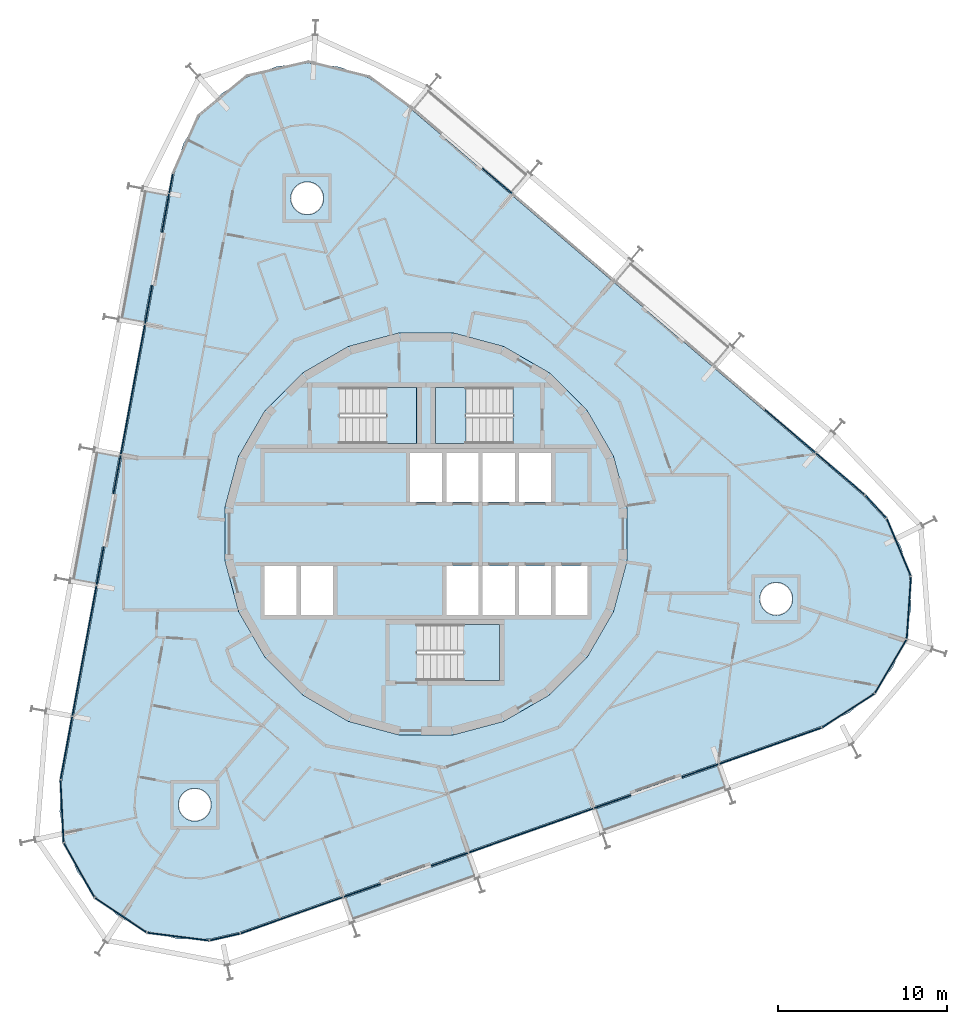
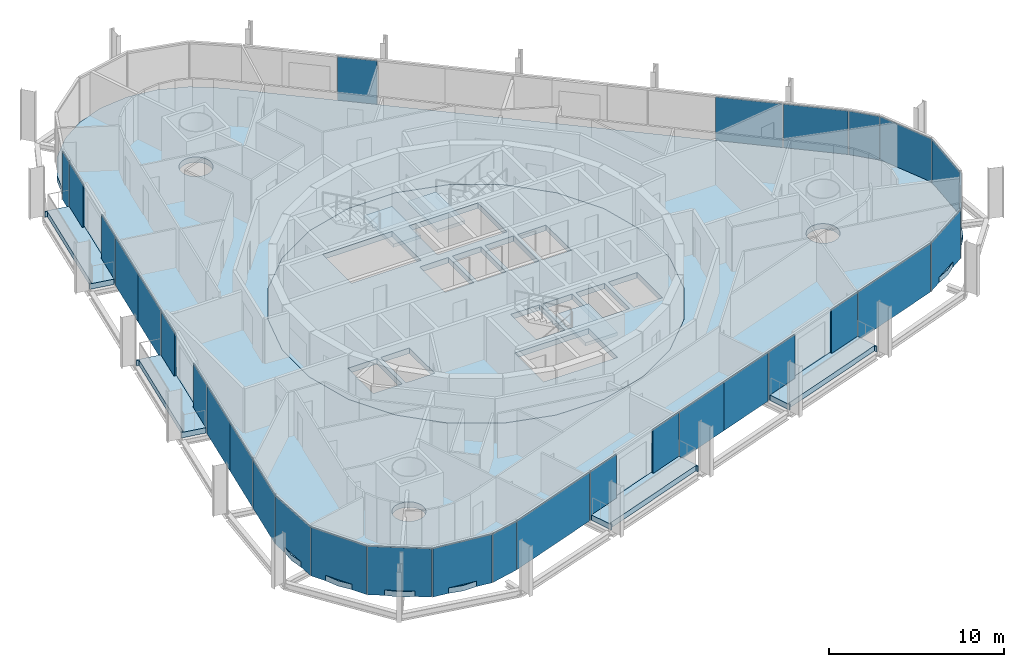
# One storey, part 9 of 17: 31 plates, 9 slabs, 9 elements without a shape of their own.
"""IFC4 building model written with IfcOpenShell, lengths in metres."""

from ifc_helpers import new_model, si_unit, direction, frame, origin, origin_2d, place, context, subcontext, project, spatial, polyline, rectangle, outline, extrude, material, layer, layer_set, type_object, element, aggregate, save


model = new_model("IFC4")

# Units and contexts
model_context = context("Model", 3, precision=1e-05, world=origin(), true_north=direction((0.0, 1.0)))
body_context = subcontext(model_context, "Body", "Model", "MODEL_VIEW")
ifc_project = project(units=[si_unit("LENGTHUNIT", "METRE"), si_unit("AREAUNIT", "SQUARE_METRE"), si_unit("VOLUMEUNIT", "CUBIC_METRE"), si_unit("PLANEANGLEUNIT", "RADIAN"), si_unit("MASSUNIT", "GRAM", prefix="KILO")], contexts=[model_context])

# Site, building, storey
site_placement = place(None, origin())
site = spatial("IfcSite", under=ifc_project, at=site_placement, CompositionType="ELEMENT")
building_placement = place(site_placement, origin())
building = spatial("IfcBuilding", under=site, at=building_placement, Name="Spindle Arch Residences", CompositionType="ELEMENT")
storey_placement = place(building_placement, frame((0.0, 0.0, 172.699951171875)))
storey = spatial("IfcBuildingStorey", under=building, at=storey_placement, Name="L43", CompositionType="ELEMENT", Elevation=172.699951171875)

# Slabs
ifc_material_1 = material(Name="Concrete C40/50", Category="concrete")
ifc_layer_1 = layer(ifc_material_1, 0.3798828125)
ifc_layer_set_1 = layer_set([ifc_layer_1], Name="Balcony slab 380")
slab_type_1 = type_object("IfcSlabType", Name="Balcony slab 380", PredefinedType="FLOOR", material=ifc_layer_set_1)
slab_1_placement = place(storey_placement, frame((0.0, 0.0, -0.3798828125)))
element("IfcSlab", 1, at=slab_1_placement, inside=storey, type_object=slab_type_1, Name="Balcony L43 bay 1", PredefinedType="FLOOR", context=body_context, shape_type="SweptSolid", body=[
    extrude(outline(polyline([(10.512451171875, -17.6884765625), (10.583251953125, -17.663330078125), (10.533203125, -17.52197265625), (17.65966796875, -14.998291015625), (17.709716796875, -15.1396484375), (17.7802734375, -15.11474609375), (17.282958984375, -13.710205078125), (15.1572265625, -14.462890625), (15.10400390625, -14.31201171875), (12.08740234375, -15.38037109375), (12.140869140625, -15.531005859375), (10.01513671875, -16.283935546875), (10.512451171875, -17.6884765625)])), origin(), (0.0, 0.0, 1.0), 0.3798828125),
])
slab_2_placement = place(storey_placement, frame((0.0, 0.0, -0.3798828125)))
element("IfcSlab", 2, at=slab_2_placement, inside=storey, type_object=slab_type_1, Name="Balcony L43 bay 13", PredefinedType="FLOOR", context=body_context, shape_type="SweptSolid", body=[
    extrude(outline(polyline([(-16.755126953125, 20.349365234375), (-16.768798828125, 20.275634765625), (-16.621337890625, 20.248291015625), (-17.9990234375, 12.814697265625), (-18.146484375, 12.842041015625), (-18.16015625, 12.768310546875), (-16.695068359375, 12.496826171875), (-16.2841796875, 14.714111328125), (-16.126953125, 14.684814453125), (-15.543701171875, 17.831298828125), (-15.700927734375, 17.860595703125), (-15.2900390625, 20.077880859375), (-16.755126953125, 20.349365234375)])), origin(), (0.0, 0.0, 1.0), 0.3798828125),
])
slab_3_placement = place(storey_placement, frame((0.0, 0.0, -0.3798828125)))
element("IfcSlab", 3, at=slab_3_placement, inside=storey, type_object=slab_type_1, Name="Balcony L43 bay 15", PredefinedType="FLOOR", context=body_context, shape_type="SweptSolid", body=[
    extrude(outline(polyline([(-19.619873046875, 4.892333984375), (-19.633544921875, 4.818603515625), (-19.486083984375, 4.791259765625), (-20.86376953125, -2.64208984375), (-21.01123046875, -2.61474609375), (-21.02490234375, -2.6884765625), (-19.559814453125, -2.960205078125), (-19.14892578125, -0.742919921875), (-18.99169921875, -0.77197265625), (-18.408447265625, 2.37451171875), (-18.56591796875, 2.403564453125), (-18.15478515625, 4.620849609375), (-19.619873046875, 4.892333984375)])), origin(), (0.0, 0.0, 1.0), 0.3798828125),
])
slab_4_placement = place(storey_placement, frame((0.0, 0.0, -0.3798828125)))
element("IfcSlab", 4, at=slab_4_placement, inside=storey, type_object=slab_type_1, Name="Balcony L43 bay 21", PredefinedType="FLOOR", context=body_context, shape_type="SweptSolid", body=[
    extrude(outline(polyline([(-4.305908203125, -22.935791015625), (-4.2353515625, -22.910888671875), (-4.285400390625, -22.76953125), (2.841064453125, -20.245849609375), (2.89111328125, -20.38720703125), (2.9619140625, -20.3623046875), (2.464599609375, -18.957763671875), (0.3388671875, -19.71044921875), (0.285400390625, -19.5595703125), (-2.73095703125, -20.627685546875), (-2.677734375, -20.778564453125), (-4.80322265625, -21.53125), (-4.305908203125, -22.935791015625)])), origin(), (0.0, 0.0, 1.0), 0.3798828125),
])
ifc_material_2 = material(Name="Concrete C50/60", Category="concrete")
ifc_layer_2 = layer(ifc_material_2, 0.3798828125)
ifc_layer_set_2 = layer_set([ifc_layer_2], Name="Core floor slab 380")
slab_type_2 = type_object("IfcSlabType", Name="Core floor slab 380", PredefinedType="FLOOR", material=ifc_layer_set_2)
slab_5_placement = place(storey_placement, frame((0.0, 0.0, -0.3798828125)))
element("IfcSlab", 5, at=slab_5_placement, inside=storey, type_object=slab_type_2, Name="Core floor L43", PredefinedType="FLOOR", context=body_context, shape_type="SweptSolid", body=[
    extrude(outline(polyline([(1.56640625, -11.897216796875), (4.59228515625, -11.086669921875), (7.30517578125, -9.520263671875), (9.520263671875, -7.30517578125), (11.086669921875, -4.59228515625), (11.897216796875, -1.56640625), (11.897216796875, 1.56640625), (11.086669921875, 4.59228515625), (9.520263671875, 7.30517578125), (7.30517578125, 9.520263671875), (4.59228515625, 11.086669921875), (1.56640625, 11.897216796875), (-1.56640625, 11.897216796875), (-4.59228515625, 11.086669921875), (-7.30517578125, 9.520263671875), (-9.520263671875, 7.30517578125), (-11.086669921875, 4.59228515625), (-11.897216796875, 1.56640625), (-11.897216796875, -1.56640625), (-11.086669921875, -4.59228515625), (-9.520263671875, -7.30517578125), (-7.30517578125, -9.520263671875), (-4.59228515625, -11.086669921875), (-1.56640625, -11.897216796875), (1.56640625, -11.897216796875)]), holes=[polyline([(-0.949951171875, 1.89990234375), (0.949951171875, 1.89990234375), (0.949951171875, 4.800048828125), (-0.949951171875, 4.800048828125), (-0.949951171875, 1.89990234375)]), polyline([(1.199951171875, 1.89990234375), (3.10009765625, 1.89990234375), (3.10009765625, 4.800048828125), (1.199951171875, 4.800048828125), (1.199951171875, 1.89990234375)]), polyline([(3.35009765625, 1.89990234375), (5.25, 1.89990234375), (5.25, 4.800048828125), (3.35009765625, 4.800048828125), (3.35009765625, 1.89990234375)]), polyline([(5.5, 1.89990234375), (7.39990234375, 1.89990234375), (7.39990234375, 4.800048828125), (5.5, 4.800048828125), (5.5, 1.89990234375)]), polyline([(-9.550048828125, -4.800048828125), (-7.64990234375, -4.800048828125), (-7.64990234375, -1.89990234375), (-9.550048828125, -1.89990234375), (-9.550048828125, -4.800048828125)]), polyline([(-7.39990234375, -4.800048828125), (-5.5, -4.800048828125), (-5.5, -1.89990234375), (-7.39990234375, -1.89990234375), (-7.39990234375, -4.800048828125)]), polyline([(1.199951171875, -4.800048828125), (3.10009765625, -4.800048828125), (3.10009765625, -1.89990234375), (1.199951171875, -1.89990234375), (1.199951171875, -4.800048828125)]), polyline([(3.35009765625, -4.800048828125), (5.25, -4.800048828125), (5.25, -1.89990234375), (3.35009765625, -1.89990234375), (3.35009765625, -4.800048828125)]), polyline([(5.5, -4.800048828125), (7.39990234375, -4.800048828125), (7.39990234375, -1.89990234375), (5.5, -1.89990234375), (5.5, -4.800048828125)]), polyline([(7.64990234375, -4.800048828125), (9.550048828125, -4.800048828125), (9.550048828125, -1.89990234375), (7.64990234375, -1.89990234375), (7.64990234375, -4.800048828125)]), polyline([(5.1298828125, 8.669921875), (0.550048828125, 8.669921875), (0.550048828125, 5.35009765625), (5.1298828125, 5.35009765625), (5.1298828125, 8.669921875)]), polyline([(-5.1298828125, 5.35009765625), (-0.550048828125, 5.35009765625), (-0.550048828125, 8.669921875), (-5.1298828125, 8.669921875), (-5.1298828125, 5.35009765625)]), polyline([(-0.530029296875, -8.669921875), (4.35009765625, -8.669921875), (4.35009765625, -5.35009765625), (-0.530029296875, -5.35009765625), (-0.530029296875, -8.669921875)])]), origin(), (0.0, 0.0, 1.0), 0.3798828125),
])

# Stair, slab
ifc_material_3 = material(Name="Concrete C50/60", Category="concrete")
stair_type = type_object("IfcStairType", Name="Exit stair 16 risers", PredefinedType="HALF_TURN_STAIR", material=ifc_material_3)
stair_1_placement = place(storey_placement, origin())
stair_1 = element("IfcStair", 6, at=stair_1_placement, inside=storey, type_object=stair_type, Name="L43 Exit stair ST1", PredefinedType="HALF_TURN_STAIR")
ifc_material_4 = material(Name="Concrete C50/60", Category="concrete")
ifc_layer_3 = layer(ifc_material_4, 0.219970703125)
ifc_layer_set_3 = layer_set([ifc_layer_3], Name="Exit stair landing 220")
slab_type_3 = type_object("IfcSlabType", Name="Exit stair landing 220", PredefinedType="LANDING", material=ifc_layer_set_3)
slab_6_placement = place(storey_placement, frame((0.0, 0.0, 1.530029296875)))
slab_6 = element("IfcSlab", 7, at=slab_6_placement, type_object=slab_type_3, Name="ST1 landing 1", PredefinedType="LANDING", context=body_context, shape_type="SweptSolid", body=[
    extrude(outline(polyline([(2.3701171875, 8.669921875), (0.550048828125, 8.669921875), (0.550048828125, 5.35009765625), (2.3701171875, 5.35009765625), (2.3701171875, 8.669921875)])), origin(), (0.0, 0.0, 1.0), 0.219970703125),
])
aggregate(stair_1, [slab_6])

stair_2_placement = place(storey_placement, origin())
stair_2 = element("IfcStair", 8, at=stair_2_placement, inside=storey, type_object=stair_type, Name="L43 Exit stair ST2", PredefinedType="HALF_TURN_STAIR")
slab_7_placement = place(storey_placement, frame((0.0, 0.0, 1.530029296875)))
slab_7 = element("IfcSlab", 9, at=slab_7_placement, type_object=slab_type_3, Name="ST2 landing 1", PredefinedType="LANDING", context=body_context, shape_type="SweptSolid", body=[
    extrude(outline(polyline([(-2.3701171875, 5.35009765625), (-0.550048828125, 5.35009765625), (-0.550048828125, 8.669921875), (-2.3701171875, 8.669921875), (-2.3701171875, 5.35009765625)])), origin(), (0.0, 0.0, 1.0), 0.219970703125),
])
aggregate(stair_2, [slab_7])

stair_3_placement = place(storey_placement, origin())
stair_3 = element("IfcStair", 10, at=stair_3_placement, inside=storey, type_object=stair_type, Name="L43 Exit stair ST3", PredefinedType="HALF_TURN_STAIR")
slab_8_placement = place(storey_placement, frame((0.0, 0.0, 1.530029296875)))
slab_8 = element("IfcSlab", 11, at=slab_8_placement, type_object=slab_type_3, Name="ST3 landing 1", PredefinedType="LANDING", context=body_context, shape_type="SweptSolid", body=[
    extrude(outline(polyline([(2.22998046875, -8.669921875), (4.35009765625, -8.669921875), (4.35009765625, -5.35009765625), (2.22998046875, -5.35009765625), (2.22998046875, -8.669921875)])), origin(), (0.0, 0.0, 1.0), 0.219970703125),
])
aggregate(stair_3, [slab_8])

# Slab
ifc_material_5 = material(Name="Concrete C40/50", Category="concrete")
ifc_layer_4 = layer(ifc_material_5, 0.3798828125)
ifc_layer_set_4 = layer_set([ifc_layer_4], Name="Floor slab 380")
slab_type_4 = type_object("IfcSlabType", Name="Floor slab 380", PredefinedType="FLOOR", material=ifc_layer_set_4)
slab_9_placement = place(storey_placement, frame((0.0, 0.0, -0.3798828125)))
element("IfcSlab", 12, at=slab_9_placement, inside=storey, type_object=slab_type_4, Name="Floor slab L43", PredefinedType="FLOOR", context=body_context, shape_type="SweptSolid", body=[
    extrude(outline(polyline([(-12.82177734375, -23.972412109375), (-14.67919921875, -23.9560546875), (-16.48291015625, -23.511962890625), (-18.135498046875, -22.663818359375), (-19.5478515625, -21.45751953125), (-20.64404296875, -19.9580078125), (-21.36474609375, -18.24609375), (-21.67138671875, -16.4140625), (-21.547119140625, -14.560791015625), (-14.89794921875, 21.3154296875), (-14.349609375, 23.090087890625), (-13.406982421875, 24.690673828125), (-12.12060546875, 26.030517578125), (-10.559814453125, 27.03759765625), (-8.808837890625, 27.65771484375), (-6.962158203125, 27.857421875), (-5.119140625, 27.62548828125), (-3.37939453125, 26.97509765625), (-1.83642578125, 25.94091796875), (25.90869140625, 2.244384765625), (27.171630859375, 0.882080078125), (28.086181640625, -0.734619140625), (28.603515625, -2.5185546875), (28.6953125, -4.373779296875), (28.356689453125, -6.2001953125), (27.606201171875, -7.8994140625), (26.48388671875, -9.37939453125), (25.05078125, -10.56103515625), (23.383544921875, -11.380126953125), (6.186279296875, -17.469970703125), (-11.0107421875, -23.559814453125), (-12.82177734375, -23.972412109375)]), holes=[polyline([(7.30517578125, -9.520263671875), (9.520263671875, -7.30517578125), (11.086669921875, -4.59228515625), (11.897216796875, -1.56640625), (11.897216796875, 1.56640625), (11.086669921875, 4.59228515625), (9.520263671875, 7.30517578125), (7.30517578125, 9.520263671875), (4.59228515625, 11.086669921875), (1.56640625, 11.897216796875), (-1.56640625, 11.897216796875), (-4.59228515625, 11.086669921875), (-7.30517578125, 9.520263671875), (-9.520263671875, 7.30517578125), (-11.086669921875, 4.59228515625), (-11.897216796875, 1.56640625), (-11.897216796875, -1.56640625), (-11.086669921875, -4.59228515625), (-9.520263671875, -7.30517578125), (-7.30517578125, -9.520263671875), (-4.59228515625, -11.086669921875), (-1.56640625, -11.897216796875), (1.56640625, -11.897216796875), (4.59228515625, -11.086669921875), (7.30517578125, -9.520263671875)]), polyline([(-12.99169921875, -16.7080078125), (-12.87060546875, -16.560302734375), (-12.780517578125, -16.3916015625), (-12.724853515625, -16.208740234375), (-12.706298828125, -16.0185546875), (-12.724853515625, -15.828369140625), (-12.780517578125, -15.6455078125), (-12.87060546875, -15.476806640625), (-12.99169921875, -15.3291015625), (-13.139404296875, -15.2080078125), (-13.30810546875, -15.117919921875), (-13.490966796875, -15.062255859375), (-13.68115234375, -15.043701171875), (-13.871337890625, -15.062255859375), (-14.05419921875, -15.117919921875), (-14.222900390625, -15.2080078125), (-14.37060546875, -15.3291015625), (-14.491943359375, -15.476806640625), (-14.58203125, -15.6455078125), (-14.637451171875, -15.828369140625), (-14.65625, -16.0185546875), (-14.637451171875, -16.208740234375), (-14.58203125, -16.3916015625), (-14.491943359375, -16.560302734375), (-14.37060546875, -16.7080078125), (-14.222900390625, -16.829345703125), (-14.05419921875, -16.91943359375), (-13.871337890625, -16.974853515625), (-13.68115234375, -16.99365234375), (-13.490966796875, -16.974853515625), (-13.30810546875, -16.91943359375), (-13.139404296875, -16.829345703125), (-12.99169921875, -16.7080078125)]), polyline([(-6.22119140625, 19.31591796875), (-6.131103515625, 19.484619140625), (-6.07568359375, 19.66748046875), (-6.056884765625, 19.857666015625), (-6.07568359375, 20.0478515625), (-6.131103515625, 20.230712890625), (-6.22119140625, 20.3994140625), (-6.342529296875, 20.547119140625), (-6.490234375, 20.668212890625), (-6.65869140625, 20.75830078125), (-6.841796875, 20.81396484375), (-7.031982421875, 20.83251953125), (-7.22216796875, 20.81396484375), (-7.405029296875, 20.75830078125), (-7.573486328125, 20.668212890625), (-7.72119140625, 20.547119140625), (-7.842529296875, 20.3994140625), (-7.9326171875, 20.230712890625), (-7.98828125, 20.0478515625), (-8.0068359375, 19.857666015625), (-7.98828125, 19.66748046875), (-7.9326171875, 19.484619140625), (-7.842529296875, 19.31591796875), (-7.72119140625, 19.168212890625), (-7.573486328125, 19.046875), (-7.405029296875, 18.956787109375), (-7.22216796875, 18.9013671875), (-7.031982421875, 18.882568359375), (-6.841796875, 18.9013671875), (-6.65869140625, 18.956787109375), (-6.490234375, 19.046875), (-6.342529296875, 19.168212890625), (-6.22119140625, 19.31591796875)]), polyline([(21.523681640625, -4.380615234375), (21.614013671875, -4.212158203125), (21.66943359375, -4.029296875), (21.68798828125, -3.839111328125), (21.66943359375, -3.648681640625), (21.614013671875, -3.4658203125), (21.523681640625, -3.29736328125), (21.402587890625, -3.149658203125), (21.2548828125, -3.0283203125), (21.086181640625, -2.938232421875), (20.9033203125, -2.8828125), (20.713134765625, -2.864013671875), (20.52294921875, -2.8828125), (20.340087890625, -2.938232421875), (20.17138671875, -3.0283203125), (20.023681640625, -3.149658203125), (19.90234375, -3.29736328125), (19.812255859375, -3.4658203125), (19.7568359375, -3.648681640625), (19.738037109375, -3.839111328125), (19.7568359375, -4.029296875), (19.812255859375, -4.212158203125), (19.90234375, -4.380615234375), (20.023681640625, -4.5283203125), (20.17138671875, -4.649658203125), (20.340087890625, -4.73974609375), (20.52294921875, -4.79541015625), (20.713134765625, -4.81396484375), (20.9033203125, -4.79541015625), (21.086181640625, -4.73974609375), (21.2548828125, -4.649658203125), (21.402587890625, -4.5283203125), (21.523681640625, -4.380615234375)])]), origin(), (0.0, 0.0, 1.0), 0.3798828125),
])

# Curtain wall, plates
ifc_material_6 = material(Name="Aluminium bronze unitised frame with tinted glass", Category="aluminium")
ifc_layer_5 = layer(ifc_material_6, 0.159912109375)
ifc_layer_set_5 = layer_set([ifc_layer_5], Name="CW-D corner wall on the fillet arcs")
curtain_wall_type_1 = type_object("IfcCurtainWallType", Name="CW-D corner wall on the fillet arcs", PredefinedType="NOTDEFINED", material=ifc_layer_set_5)
curtain_wall_1_placement = place(storey_placement, origin())
curtain_wall_1 = element("IfcCurtainWall", 13, at=curtain_wall_1_placement, inside=storey, type_object=curtain_wall_type_1, Name="CW-D L43 run 1", PredefinedType="NOTDEFINED")
ifc_material_7 = material(Name="Tinted double glazing over non-combustible spandrel zone with 0.55 mm stainless steel cavity fire stop (K0)", Category="steel")
ifc_layer_6 = layer(ifc_material_7, 0.070068359375)
ifc_layer_set_6 = layer_set([ifc_layer_6], Name="Unitised glass panel with spandrel zone and stainless cavity fire stop")
plate_type = type_object("IfcPlateType", Name="Unitised glass panel with spandrel zone and stainless cavity fire stop", PredefinedType="CURTAIN_PANEL", material=ifc_layer_set_6)
plate_1_placement = place(storey_placement, frame((20.36865234375, -12.53271484375, -0.3798828125), z_axis=(0.0, 0.0, 1.0), x_axis=(0.942641491092, 0.333806859234, 0.0)))
plate_1 = element("IfcPlate", 14, at=plate_1_placement, type_object=plate_type, Name="CW-D unit 00", PredefinedType="CURTAIN_PANEL", context=body_context, shape_type="SweptSolid", body=[
    extrude(rectangle(XDim=6.3935546875, YDim=0.070068359375, at=origin_2d()), origin(), (0.0, 0.0, 1.0), 3.3798828125),
])
plate_2_placement = place(storey_placement, frame((24.97607421875, -10.445068359375, -0.3798828125), z_axis=(0.0, 0.0, 1.0), x_axis=(0.840251309898, 0.542197137778, 0.0)))
plate_2 = element("IfcPlate", 15, at=plate_2_placement, type_object=plate_type, Name="CW-D unit 01", PredefinedType="CURTAIN_PANEL", context=body_context, shape_type="SweptSolid", body=[
    extrude(rectangle(XDim=3.666748046875, YDim=0.070068359375, at=origin_2d()), origin(), (0.0, 0.0, 1.0), 3.3798828125),
])
plate_3_placement = place(storey_placement, frame((27.487548828125, -7.829345703125, -0.3798828125), z_axis=(0.0, 0.0, 1.0), x_axis=(0.507538365713, 0.86162915882, 0.0)))
plate_3 = element("IfcPlate", 16, at=plate_3_placement, type_object=plate_type, Name="CW-D unit 02", PredefinedType="CURTAIN_PANEL", context=body_context, shape_type="SweptSolid", body=[
    extrude(rectangle(XDim=3.666748046875, YDim=0.070068359375, at=origin_2d()), origin(), (0.0, 0.0, 1.0), 3.3798828125),
])
plate_4_placement = place(storey_placement, frame((28.557861328125, -4.364501953125, -0.3798828125), z_axis=(0.0, 0.0, 1.0), x_axis=(0.066854392204, 0.997762742461, 0.0)))
plate_4 = element("IfcPlate", 17, at=plate_4_placement, type_object=plate_type, Name="CW-D unit 03", PredefinedType="CURTAIN_PANEL", context=body_context, shape_type="SweptSolid", body=[
    extrude(rectangle(XDim=3.666748046875, YDim=0.070068359375, at=origin_2d()), origin(), (0.0, 0.0, 1.0), 3.3798828125),
])
plate_5_placement = place(storey_placement, frame((27.959228515625, -0.7880859375, -0.3798828125), z_axis=(0.0, 0.0, 1.0), x_axis=(-0.388051836633, 0.921637549195, 0.0)))
plate_5 = element("IfcPlate", 18, at=plate_5_placement, type_object=plate_type, Name="CW-D unit 04", PredefinedType="CURTAIN_PANEL", context=body_context, shape_type="SweptSolid", body=[
    extrude(rectangle(XDim=3.666748046875, YDim=0.070068359375, at=origin_2d()), origin(), (0.0, 0.0, 1.0), 3.3798828125),
])
plate_6_placement = place(storey_placement, frame((26.598388671875, 1.6171875, -0.3798828125), z_axis=(0.0, 0.0, 1.0), x_axis=(-0.679868057543, 0.733334455983, 0.0)))
plate_6 = element("IfcPlate", 19, at=plate_6_placement, type_object=plate_type, Name="CW-D unit 05", PredefinedType="CURTAIN_PANEL", context=body_context, shape_type="SweptSolid", body=[
    extrude(rectangle(XDim=1.816162109375, YDim=0.070068359375, at=origin_2d()), origin(), (0.0, 0.0, 1.0), 3.3798828125),
])
plate_7_placement = place(storey_placement, frame((24.503173828125, 3.550048828125, -0.3798828125), z_axis=(0.0, 0.0, 1.0), x_axis=(-0.7604059656, 0.64944804833, 0.0)))
plate_7 = element("IfcPlate", 20, at=plate_7_placement, type_object=plate_type, Name="CW-D unit 06", PredefinedType="CURTAIN_PANEL", context=body_context, shape_type="SweptSolid", body=[
    extrude(rectangle(XDim=3.7734375, YDim=0.070068359375, at=origin_2d()), origin(), (0.0, 0.0, 1.0), 3.3798828125),
])
aggregate(curtain_wall_1, [plate_1, plate_2, plate_3, plate_4, plate_5, plate_6, plate_7])

ifc_material_8 = material(Name="Aluminium bronze unitised frame with tinted glass", Category="aluminium")
ifc_layer_7 = layer(ifc_material_8, 0.159912109375)
ifc_layer_set_7 = layer_set([ifc_layer_7], Name="CW-C typical residential unitised wall")
curtain_wall_type_2 = type_object("IfcCurtainWallType", Name="CW-C typical residential unitised wall", PredefinedType="NOTDEFINED", material=ifc_layer_set_7)
curtain_wall_2_placement = place(storey_placement, origin())
curtain_wall_2 = element("IfcCurtainWall", 21, at=curtain_wall_2_placement, inside=storey, type_object=curtain_wall_type_2, Name="CW-C L43 run 2", PredefinedType="NOTDEFINED")
plate_8_placement = place(storey_placement, frame((21.5400390625, 6.08056640625, -0.3798828125), z_axis=(0.0, 0.0, 1.0), x_axis=(-0.7604059656, 0.64944804833, 0.0)))
plate_8 = element("IfcPlate", 22, at=plate_8_placement, type_object=plate_type, Name="CW-C unit 05A", PredefinedType="CURTAIN_PANEL", context=body_context, shape_type="SweptSolid", body=[
    extrude(rectangle(XDim=3.900146484375, YDim=0.070068359375, at=origin_2d()), origin(), (0.0, 0.0, 1.0), 3.3798828125),
])
plate_9_placement = place(storey_placement, frame((4.2177734375, 20.875244140625, -0.3798828125), z_axis=(0.0, 0.0, 1.0), x_axis=(-0.7604059656, 0.64944804833, 0.0)))
plate_9 = element("IfcPlate", 23, at=plate_9_placement, type_object=plate_type, Name="CW-C unit 08L", PredefinedType="CURTAIN_PANEL", context=body_context, shape_type="SweptSolid", body=[
    extrude(rectangle(XDim=2.300048828125, YDim=0.070068359375, at=origin_2d()), origin(), (0.0, 0.0, 1.0), 3.3798828125),
])
aggregate(curtain_wall_2, [plate_8, plate_9])

# Curtain wall, plate
curtain_wall_3_placement = place(storey_placement, origin())
curtain_wall_3 = element("IfcCurtainWall", 24, at=curtain_wall_3_placement, inside=storey, type_object=curtain_wall_type_1, Name="CW-D L43 run 3", PredefinedType="NOTDEFINED")
plate_10_placement = place(storey_placement, frame((-15.087158203125, 20.7333984375, -0.3798828125), z_axis=(0.0, 0.0, 1.0), x_axis=(-0.182235525492, -0.983254907564, 0.0)))
plate_10 = element("IfcPlate", 25, at=plate_10_placement, type_object=plate_type, Name="CW-D unit 05", PredefinedType="CURTAIN_PANEL", context=body_context, shape_type="SweptSolid", body=[
    extrude(rectangle(XDim=1.1533203125, YDim=0.070068359375, at=origin_2d()), origin(), (0.0, 0.0, 1.0), 3.3798828125),
])
aggregate(curtain_wall_3, [plate_10])

# Curtain wall, plates
curtain_wall_4_placement = place(storey_placement, origin())
curtain_wall_4 = element("IfcCurtainWall", 26, at=curtain_wall_4_placement, inside=storey, type_object=curtain_wall_type_2, Name="CW-C L43 run 4", PredefinedType="NOTDEFINED")
plate_11_placement = place(storey_placement, frame((-15.412841796875, 18.9765625, -0.3798828125), z_axis=(0.0, 0.0, 1.0), x_axis=(-0.182235525492, -0.983254907564, 0.0)))
plate_11 = element("IfcPlate", 27, at=plate_11_placement, type_object=plate_type, Name="CW-C unit 12L", PredefinedType="CURTAIN_PANEL", context=body_context, shape_type="SweptSolid", body=[
    extrude(rectangle(XDim=2.300048828125, YDim=0.070068359375, at=origin_2d()), origin(), (0.0, 0.0, 1.0), 3.3798828125),
])
plate_12_placement = place(storey_placement, frame((-16.4150390625, 13.56884765625, -0.3798828125), z_axis=(0.0, 0.0, 1.0), x_axis=(-0.182235525492, -0.983254907564, 0.0)))
plate_12 = element("IfcPlate", 28, at=plate_12_placement, type_object=plate_type, Name="CW-C unit 12R", PredefinedType="CURTAIN_PANEL", context=body_context, shape_type="SweptSolid", body=[
    extrude(rectangle(XDim=2.300048828125, YDim=0.070068359375, at=origin_2d()), origin(), (0.0, 0.0, 1.0), 3.3798828125),
])
plate_13_placement = place(storey_placement, frame((-16.990966796875, 10.461669921875, -0.3798828125), z_axis=(0.0, 0.0, 1.0), x_axis=(-0.182235525492, -0.983254907564, 0.0)))
plate_13 = element("IfcPlate", 29, at=plate_13_placement, type_object=plate_type, Name="CW-C unit 13A", PredefinedType="CURTAIN_PANEL", context=body_context, shape_type="SweptSolid", body=[
    extrude(rectangle(XDim=3.900146484375, YDim=0.070068359375, at=origin_2d()), origin(), (0.0, 0.0, 1.0), 3.3798828125),
])
plate_14_placement = place(storey_placement, frame((-17.70166015625, 6.626953125, -0.3798828125), z_axis=(0.0, 0.0, 1.0), x_axis=(-0.182235525492, -0.983254907564, 0.0)))
plate_14 = element("IfcPlate", 30, at=plate_14_placement, type_object=plate_type, Name="CW-C unit 13B", PredefinedType="CURTAIN_PANEL", context=body_context, shape_type="SweptSolid", body=[
    extrude(rectangle(XDim=3.900146484375, YDim=0.070068359375, at=origin_2d()), origin(), (0.0, 0.0, 1.0), 3.3798828125),
])
plate_15_placement = place(storey_placement, frame((-18.277587890625, 3.519775390625, -0.3798828125), z_axis=(0.0, 0.0, 1.0), x_axis=(-0.182235525492, -0.983254907564, 0.0)))
plate_15 = element("IfcPlate", 31, at=plate_15_placement, type_object=plate_type, Name="CW-C unit 14L", PredefinedType="CURTAIN_PANEL", context=body_context, shape_type="SweptSolid", body=[
    extrude(rectangle(XDim=2.300048828125, YDim=0.070068359375, at=origin_2d()), origin(), (0.0, 0.0, 1.0), 3.3798828125),
])
plate_16_placement = place(storey_placement, frame((-19.27978515625, -1.88818359375, -0.3798828125), z_axis=(0.0, 0.0, 1.0), x_axis=(-0.182235525492, -0.983254907564, 0.0)))
plate_16 = element("IfcPlate", 32, at=plate_16_placement, type_object=plate_type, Name="CW-C unit 14R", PredefinedType="CURTAIN_PANEL", context=body_context, shape_type="SweptSolid", body=[
    extrude(rectangle(XDim=2.300048828125, YDim=0.070068359375, at=origin_2d()), origin(), (0.0, 0.0, 1.0), 3.3798828125),
])
plate_17_placement = place(storey_placement, frame((-19.855712890625, -4.995361328125, -0.3798828125), z_axis=(0.0, 0.0, 1.0), x_axis=(-0.182235525492, -0.983254907564, 0.0)))
plate_17 = element("IfcPlate", 33, at=plate_17_placement, type_object=plate_type, Name="CW-C unit 15A", PredefinedType="CURTAIN_PANEL", context=body_context, shape_type="SweptSolid", body=[
    extrude(rectangle(XDim=3.900146484375, YDim=0.070068359375, at=origin_2d()), origin(), (0.0, 0.0, 1.0), 3.3798828125),
])
plate_18_placement = place(storey_placement, frame((-20.56640625, -8.830078125, -0.3798828125), z_axis=(0.0, 0.0, 1.0), x_axis=(-0.182235525492, -0.983254907564, 0.0)))
plate_18 = element("IfcPlate", 34, at=plate_18_placement, type_object=plate_type, Name="CW-C unit 15B", PredefinedType="CURTAIN_PANEL", context=body_context, shape_type="SweptSolid", body=[
    extrude(rectangle(XDim=3.900146484375, YDim=0.070068359375, at=origin_2d()), origin(), (0.0, 0.0, 1.0), 3.3798828125),
])
aggregate(curtain_wall_4, [plate_11, plate_12, plate_13, plate_14, plate_15, plate_16, plate_17, plate_18])

curtain_wall_5_placement = place(storey_placement, origin())
curtain_wall_5 = element("IfcCurtainWall", 35, at=curtain_wall_5_placement, inside=storey, type_object=curtain_wall_type_1, Name="CW-D L43 run 5", PredefinedType="NOTDEFINED")
plate_19_placement = place(storey_placement, frame((-21.276611328125, -12.66162109375, -0.3798828125), z_axis=(0.0, 0.0, 1.0), x_axis=(-0.182235525492, -0.983254907564, 0.0)))
plate_19 = element("IfcPlate", 36, at=plate_19_placement, type_object=plate_type, Name="CW-D unit 00", PredefinedType="CURTAIN_PANEL", context=body_context, shape_type="SweptSolid", body=[
    extrude(rectangle(XDim=3.7734375, YDim=0.070068359375, at=origin_2d()), origin(), (0.0, 0.0, 1.0), 3.3798828125),
])
plate_20_placement = place(storey_placement, frame((-21.53369140625, -16.4072265625, -0.3798828125), z_axis=(0.0, 0.0, 1.0), x_axis=(0.049430843939, -0.99877754864, 0.0)))
plate_20 = element("IfcPlate", 37, at=plate_20_placement, type_object=plate_type, Name="CW-D unit 01", PredefinedType="CURTAIN_PANEL", context=body_context, shape_type="SweptSolid", body=[
    extrude(rectangle(XDim=3.666748046875, YDim=0.070068359375, at=origin_2d()), origin(), (0.0, 0.0, 1.0), 3.3798828125),
])
plate_21_placement = place(storey_placement, frame((-20.524169921875, -19.89013671875, -0.3798828125), z_axis=(0.0, 0.0, 1.0), x_axis=(0.492423562185, -0.870355694762, 0.0)))
plate_21 = element("IfcPlate", 38, at=plate_21_placement, type_object=plate_type, Name="CW-D unit 02", PredefinedType="CURTAIN_PANEL", context=body_context, shape_type="SweptSolid", body=[
    extrude(rectangle(XDim=3.666748046875, YDim=0.070068359375, at=origin_2d()), origin(), (0.0, 0.0, 1.0), 3.3798828125),
])
plate_22_placement = place(storey_placement, frame((-18.05859375, -22.549560546875, -0.3798828125), z_axis=(0.0, 0.0, 1.0), x_axis=(0.830660688705, -0.556778968928, 0.0)))
plate_22 = element("IfcPlate", 39, at=plate_22_placement, type_object=plate_type, Name="CW-D unit 03", PredefinedType="CURTAIN_PANEL", context=body_context, shape_type="SweptSolid", body=[
    extrude(rectangle(XDim=3.666748046875, YDim=0.070068359375, at=origin_2d()), origin(), (0.0, 0.0, 1.0), 3.3798828125),
])
plate_23_placement = place(storey_placement, frame((-14.662109375, -23.8193359375, -0.3798828125), z_axis=(0.0, 0.0, 1.0), x_axis=(0.992187449327, -0.12475602349, 0.0)))
plate_23 = element("IfcPlate", 40, at=plate_23_placement, type_object=plate_type, Name="CW-D unit 04", PredefinedType="CURTAIN_PANEL", context=body_context, shape_type="SweptSolid", body=[
    extrude(rectangle(XDim=3.666748046875, YDim=0.070068359375, at=origin_2d()), origin(), (0.0, 0.0, 1.0), 3.3798828125),
])
plate_24_placement = place(storey_placement, frame((-11.898681640625, -23.843505859375, -0.3798828125), z_axis=(0.0, 0.0, 1.0), x_axis=(0.975020297465, 0.222115779565, 0.0)))
plate_24 = element("IfcPlate", 41, at=plate_24_placement, type_object=plate_type, Name="CW-D unit 05", PredefinedType="CURTAIN_PANEL", context=body_context, shape_type="SweptSolid", body=[
    extrude(rectangle(XDim=1.816162109375, YDim=0.070068359375, at=origin_2d()), origin(), (0.0, 0.0, 1.0), 3.3798828125),
])
plate_25_placement = place(storey_placement, frame((-7.9423828125, -22.55810546875, -0.3798828125), z_axis=(0.0, 0.0, 1.0), x_axis=(0.942641491092, 0.333806859234, 0.0)))
plate_25 = element("IfcPlate", 42, at=plate_25_placement, type_object=plate_type, Name="CW-D unit 06", PredefinedType="CURTAIN_PANEL", context=body_context, shape_type="SweptSolid", body=[
    extrude(rectangle(XDim=6.3935546875, YDim=0.070068359375, at=origin_2d()), origin(), (0.0, 0.0, 1.0), 3.3798828125),
])
aggregate(curtain_wall_5, [plate_19, plate_20, plate_21, plate_22, plate_23, plate_24, plate_25])

curtain_wall_6_placement = place(storey_placement, origin())
curtain_wall_6 = element("IfcCurtainWall", 43, at=curtain_wall_6_placement, inside=storey, type_object=curtain_wall_type_2, Name="CW-C L43 run 6", PredefinedType="NOTDEFINED")
plate_26_placement = place(storey_placement, frame((-3.788330078125, -21.087158203125, -0.3798828125), z_axis=(0.0, 0.0, 1.0), x_axis=(0.942641491092, 0.333806859234, 0.0)))
plate_26 = element("IfcPlate", 44, at=plate_26_placement, type_object=plate_type, Name="CW-C unit 20L", PredefinedType="CURTAIN_PANEL", context=body_context, shape_type="SweptSolid", body=[
    extrude(rectangle(XDim=2.300048828125, YDim=0.070068359375, at=origin_2d()), origin(), (0.0, 0.0, 1.0), 3.3798828125),
])
plate_27_placement = place(storey_placement, frame((1.396240234375, -19.251220703125, -0.3798828125), z_axis=(0.0, 0.0, 1.0), x_axis=(0.942641491092, 0.333806859234, 0.0)))
plate_27 = element("IfcPlate", 45, at=plate_27_placement, type_object=plate_type, Name="CW-C unit 20R", PredefinedType="CURTAIN_PANEL", context=body_context, shape_type="SweptSolid", body=[
    extrude(rectangle(XDim=2.300048828125, YDim=0.070068359375, at=origin_2d()), origin(), (0.0, 0.0, 1.0), 3.3798828125),
])
plate_28_placement = place(storey_placement, frame((4.375, -18.1962890625, -0.3798828125), z_axis=(0.0, 0.0, 1.0), x_axis=(0.942641491092, 0.333806859234, 0.0)))
plate_28 = element("IfcPlate", 46, at=plate_28_placement, type_object=plate_type, Name="CW-C unit 21A", PredefinedType="CURTAIN_PANEL", context=body_context, shape_type="SweptSolid", body=[
    extrude(rectangle(XDim=3.900146484375, YDim=0.070068359375, at=origin_2d()), origin(), (0.0, 0.0, 1.0), 3.3798828125),
])
plate_29_placement = place(storey_placement, frame((8.05126953125, -16.894287109375, -0.3798828125), z_axis=(0.0, 0.0, 1.0), x_axis=(0.942641491092, 0.333806859234, 0.0)))
plate_29 = element("IfcPlate", 47, at=plate_29_placement, type_object=plate_type, Name="CW-C unit 21B", PredefinedType="CURTAIN_PANEL", context=body_context, shape_type="SweptSolid", body=[
    extrude(rectangle(XDim=3.900146484375, YDim=0.070068359375, at=origin_2d()), origin(), (0.0, 0.0, 1.0), 3.3798828125),
])
plate_30_placement = place(storey_placement, frame((11.030029296875, -15.839599609375, -0.3798828125), z_axis=(0.0, 0.0, 1.0), x_axis=(0.942641491092, 0.333806859234, 0.0)))
plate_30 = element("IfcPlate", 48, at=plate_30_placement, type_object=plate_type, Name="CW-C unit 00L", PredefinedType="CURTAIN_PANEL", context=body_context, shape_type="SweptSolid", body=[
    extrude(rectangle(XDim=2.300048828125, YDim=0.070068359375, at=origin_2d()), origin(), (0.0, 0.0, 1.0), 3.3798828125),
])
plate_31_placement = place(storey_placement, frame((16.214599609375, -14.003662109375, -0.3798828125), z_axis=(0.0, 0.0, 1.0), x_axis=(0.942641491092, 0.333806859234, 0.0)))
plate_31 = element("IfcPlate", 49, at=plate_31_placement, type_object=plate_type, Name="CW-C unit 00R", PredefinedType="CURTAIN_PANEL", context=body_context, shape_type="SweptSolid", body=[
    extrude(rectangle(XDim=2.300048828125, YDim=0.070068359375, at=origin_2d()), origin(), (0.0, 0.0, 1.0), 3.3798828125),
])
aggregate(curtain_wall_6, [plate_26, plate_27, plate_28, plate_29, plate_30, plate_31])

save(model, "model.ifc")
